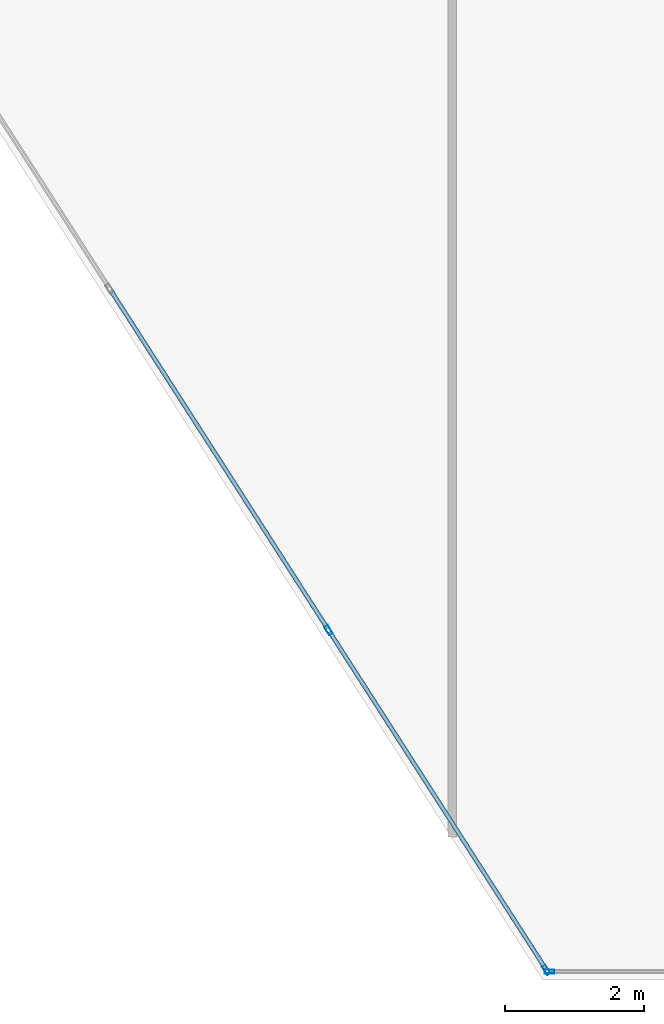
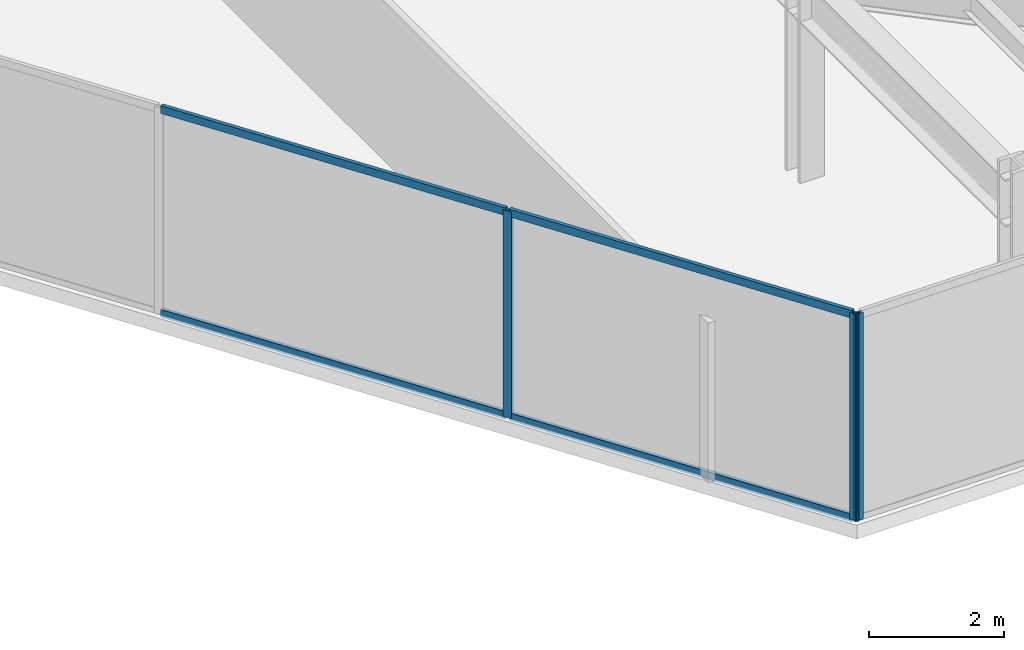
# One storey, part 15 of 26: 7 members, 2 elements without a shape of their own.
"""IFC4 building model written with IfcOpenShell, lengths in metres."""

import ifcopenshell
import ifcopenshell.guid

model = None  # the IFC model being written
_history = None  # IfcOwnerHistory: only IFC2X3 demands one
_inside = {}  # id of a spatial element -> (the spatial element, [elements in it])
_under = {}  # id of a project, library or spatial element -> (it, [spatial elements below it])
_declared = {}  # id of a project -> (the project, [libraries it declares])
_typed = {}  # id of a type object -> (the type object, [elements of that type])
_made_of = {}  # id of a material, layer set ... -> (it, [elements and type objects made of it])


def new_model(schema):
    """Start an empty IFC model of exactly this schema.

    Asked for "IFC4X3", IfcOpenShell would pick the latest addendum, in which some entities
    have other attributes; the version numbers below select the first issue.
    IFC2X3 requires an IfcOwnerHistory on every rooted entity: one is made here for all.
    """
    global model, _history
    if schema == "IFC4X3":
        model = ifcopenshell.file(schema_version=(4, 3, 0, 0))
    else:
        model = ifcopenshell.file(schema=schema)
    _inside.clear()
    _under.clear()
    _declared.clear()
    _typed.clear()
    _made_of.clear()
    _history = None
    if model.schema == "IFC2X3":
        org = make("IfcOrganization", Name="unknown")
        user = make(
            "IfcPersonAndOrganization",
            ThePerson=make("IfcPerson", FamilyName="unknown"),
            TheOrganization=org,
        )
        app = make(
            "IfcApplication",
            ApplicationDeveloper=org,
            Version="unknown",
            ApplicationFullName="unknown",
            ApplicationIdentifier="unknown",
        )
        _history = make(
            "IfcOwnerHistory",
            OwningUser=user,
            OwningApplication=app,
            ChangeAction="ADDED",
            CreationDate=0,
        )
    return model


def make(cls, **values):
    """One entity of the class cls with the attributes given. An attribute that is None is left unset."""
    return model.create_entity(
        cls, **{name: value for name, value in values.items() if value is not None}
    )


def rooted(cls, **values):
    """An entity with a GlobalId (a new one), such as an element, a storey or a relation."""
    return make(cls, GlobalId=ifcopenshell.guid.new(), OwnerHistory=_history, **values)


def si_unit(unit_type, name, prefix=None):
    """IfcSIUnit, for example si_unit("LENGTHUNIT", "METRE", prefix="MILLI")."""
    return make("IfcSIUnit", UnitType=unit_type, Prefix=prefix, Name=name)


def assignment(units):
    """IfcUnitAssignment: the units of a project."""
    return None if units is None else make("IfcUnitAssignment", Units=units)


def point(xyz):
    """IfcCartesianPoint."""
    return None if xyz is None else make("IfcCartesianPoint", Coordinates=xyz)


def direction(xyz):
    """IfcDirection."""
    return None if xyz is None else make("IfcDirection", DirectionRatios=xyz)


def frame(location, z_axis=None, x_axis=None):
    """IfcAxis2Placement3D, a coordinate frame: its origin and axes. An axis left out is left unset."""
    return make(
        "IfcAxis2Placement3D",
        Location=point(location),
        Axis=direction(z_axis),
        RefDirection=direction(x_axis),
    )


def frame_2d(location, x_axis=None):
    """IfcAxis2Placement2D, a coordinate frame in the plane: its origin and x axis."""
    return make(
        "IfcAxis2Placement2D", Location=point(location), RefDirection=direction(x_axis)
    )


def origin():
    """The frame at (0, 0, 0) with its axes left unset."""
    return frame((0.0, 0.0, 0.0))


def origin_2d():
    """The frame at (0, 0) in the plane with its x axis left unset."""
    return frame_2d((0.0, 0.0))


def place(relative_to, where):
    """IfcLocalPlacement: puts the frame where relative to a parent placement (None: the world)."""
    return make(
        "IfcLocalPlacement", PlacementRelTo=relative_to, RelativePlacement=where
    )


def context(
    kind, dimensions, precision=None, world=None, true_north=None, identifier=None
):
    """IfcGeometricRepresentationContext, for example the 3D "Model" context."""
    return make(
        "IfcGeometricRepresentationContext",
        ContextIdentifier=identifier,
        ContextType=kind,
        CoordinateSpaceDimension=dimensions,
        Precision=precision,
        WorldCoordinateSystem=world,
        TrueNorth=true_north,
    )


def subcontext(parent, identifier, kind, view, scale=None):
    """IfcGeometricRepresentationSubContext, for example "Body" below "Model"."""
    return make(
        "IfcGeometricRepresentationSubContext",
        ContextIdentifier=identifier,
        ContextType=kind,
        ParentContext=parent,
        TargetScale=scale,
        TargetView=view,
    )


def project(units=None, contexts=None):
    """IfcProject with its units and contexts."""
    return rooted(
        "IfcProject",
        Name="project",
        RepresentationContexts=contexts,
        UnitsInContext=assignment(units),
    )


def spatial(cls, under=None, at=None, **own):
    """A site, building, storey or space (cls), placed at a placement, below another one or the project."""
    s = rooted(cls, ObjectPlacement=at, **own)
    if under is not None:
        _under.setdefault(under.id(), (under, []))[1].append(s)
    return s


def profile(cls, at=None, kind="AREA", **sizes):
    """A parametric profile (cls). Its sizes go by their IFC names, for example OverallWidth=200.0."""
    return make(cls, ProfileType=kind, Position=at, **sizes)


def hollow_rectangle(**sizes):
    """IfcRectangleHollowProfileDef."""
    return profile("IfcRectangleHollowProfileDef", **sizes)


def extrude(swept, where, along, depth):
    """IfcExtrudedAreaSolid: the profile swept, set in the frame where, extruded along a direction by depth."""
    return make(
        "IfcExtrudedAreaSolid",
        SweptArea=swept,
        Position=where,
        ExtrudedDirection=direction(along),
        Depth=depth,
    )


def shape(context_of_items, identifier, shape_type, items):
    """IfcShapeRepresentation: the items that make up one representation, for example the "Body"."""
    return make(
        "IfcShapeRepresentation",
        ContextOfItems=context_of_items,
        RepresentationIdentifier=identifier,
        RepresentationType=shape_type,
        Items=items,
    )


def material(Name=None, Category=None):
    """IfcMaterial."""
    return make("IfcMaterial", Name=Name, Category=Category)


def layer(
    of_material, thickness, ventilated=None, Name=None, Category=None, Priority=None
):
    """IfcMaterialLayer: one layer of a wall or slab, of a material (None: an air gap)."""
    return make(
        "IfcMaterialLayer",
        Material=of_material,
        LayerThickness=thickness,
        IsVentilated=ventilated,
        Name=Name,
        Category=Category,
        Priority=Priority,
    )


def layer_set(layers, Name=None):
    """IfcMaterialLayerSet."""
    return make("IfcMaterialLayerSet", MaterialLayers=layers, LayerSetName=Name)


def material_profile(
    of_material, cross_section, Name=None, Category=None, Priority=None
):
    """IfcMaterialProfile: a cross section and its material."""
    return make(
        "IfcMaterialProfile",
        Name=Name,
        Material=of_material,
        Profile=cross_section,
        Priority=Priority,
        Category=Category,
    )


def profile_set(profiles, Name=None, composite=None):
    """IfcMaterialProfileSet."""
    return make(
        "IfcMaterialProfileSet",
        Name=Name,
        MaterialProfiles=profiles,
        CompositeProfile=composite,
    )


def made_of(thing, what):
    """Note that an element or type object is made of a material, layer set ...; save() writes the relation."""
    if what is not None:
        _made_of.setdefault(what.id(), (what, []))[1].append(thing)
    return thing


def type_object(cls, material=None, **own):
    """A type object (cls), such as IfcWallType, which elements share."""
    return made_of(rooted(cls, **own), material)


def element(
    cls,
    number,
    at=None,
    inside=None,
    cuts=None,
    type_object=None,
    material=None,
    context=None,
    identifier="Body",
    shape_type=None,
    held_by="IfcProductDefinitionShape",
    body=None,
    shapes=None,
    **own,
):
    """One element of the class cls, such as IfcWall. Its Tag is "e" and its number.

    at: its placement. inside: the storey or other place that contains it. cuts: it is an
    opening in that element (IfcRelVoidsElement). A single representation is given by context,
    identifier, shape_type and body (its items); several are given by shapes. held_by: the class
    of the entity that holds the representations. save() writes the other relations.
    """
    e = rooted(cls, Tag="e%d" % number, ObjectPlacement=at, **own)
    if body is not None:
        shapes = [shape(context, identifier, shape_type, body)]
    if shapes is not None:
        e.Representation = make(held_by, Representations=shapes)
    if inside is not None:
        _inside.setdefault(inside.id(), (inside, []))[1].append(e)
    if cuts is not None:
        rooted(
            "IfcRelVoidsElement", RelatingBuildingElement=cuts, RelatedOpeningElement=e
        )
    if type_object is not None:
        _typed.setdefault(type_object.id(), (type_object, []))[1].append(e)
    return made_of(e, material)


def aggregate(whole, parts):
    """IfcRelAggregates: a whole, such as a stair, and the parts it consists of."""
    return rooted("IfcRelAggregates", RelatingObject=whole, RelatedObjects=parts)


def save(model, path):
    """Write the relations noted so far, then the file.

    IfcRelAggregates (storeys below a building ...), IfcRelContainedInSpatialStructure (elements
    in a storey), IfcRelDefinesByType, IfcRelAssociatesMaterial and IfcRelDeclares: one each for
    every whole, place, type object, material and project.
    """
    for whole, parts in _under.values():
        aggregate(whole, parts)
    for where, things in _inside.values():
        rooted(
            "IfcRelContainedInSpatialStructure",
            RelatedElements=things,
            RelatingStructure=where,
        )
    for kind, things in _typed.values():
        rooted("IfcRelDefinesByType", RelatedObjects=things, RelatingType=kind)
    for what, things in _made_of.values():
        rooted("IfcRelAssociatesMaterial", RelatedObjects=things, RelatingMaterial=what)
    for by, libraries in _declared.values():
        rooted("IfcRelDeclares", RelatingContext=by, RelatedDefinitions=libraries)
    model.write(path)


model = new_model("IFC4")

# Units and contexts
model_context = context("Model", 3, precision=1e-05, world=origin(), true_north=direction((0.0, 1.0)))
body_context = subcontext(model_context, "Body", "Model", "MODEL_VIEW")
ifc_project = project(units=[si_unit("LENGTHUNIT", "METRE"), si_unit("AREAUNIT", "SQUARE_METRE"), si_unit("VOLUMEUNIT", "CUBIC_METRE"), si_unit("PLANEANGLEUNIT", "RADIAN"), si_unit("MASSUNIT", "GRAM", prefix="KILO")], contexts=[model_context])

# Site, building, storey
site_placement = place(None, origin())
site = spatial("IfcSite", under=ifc_project, at=site_placement, CompositionType="ELEMENT")
building_placement = place(site_placement, origin())
building = spatial("IfcBuilding", under=site, at=building_placement, Name="Kravanh Interchange Tower", CompositionType="ELEMENT")
storey_placement = place(building_placement, frame((0.0, 0.0, 148.0)))
storey = spatial("IfcBuildingStorey", under=building, at=storey_placement, Name="L35", CompositionType="ELEMENT", Elevation=148.0)

# Curtain wall, member
ifc_material_1 = material(Name="Anodised Bronze Aluminium", Category="aluminium")
ifc_layer = layer(ifc_material_1, 0.179931640625)
ifc_layer_set = layer_set([ifc_layer], Name="Unitised Curtain Wall System CW-Z2 Mid Office")
curtain_wall_type = type_object("IfcCurtainWallType", Name="Unitised Curtain Wall System CW-Z2 Mid Office", PredefinedType="NOTDEFINED", material=ifc_layer_set)
curtain_wall_1_placement = place(storey_placement, origin())
curtain_wall_1 = element("IfcCurtainWall", 1, at=curtain_wall_1_placement, inside=storey, type_object=curtain_wall_type, Name="L35 Unitised Curtain Wall CW-L35-03", PredefinedType="NOTDEFINED")
ifc_material_2 = material(Name="Anodised Bronze Aluminium", Category="aluminium")
ifc_material_profile_1 = material_profile(ifc_material_2, hollow_rectangle(XDim=0.06005859375, YDim=0.139892578125, WallThickness=0.00390625, at=origin_2d()), Name="ALU60X140X4")
ifc_profile_set_1 = profile_set([ifc_material_profile_1], Name="Anodised Bronze Aluminium")
member_type_1 = type_object("IfcMemberType", Name="Curtain Wall Mullion ALU60X140X4 Bronze", PredefinedType="MULLION", material=ifc_profile_set_1)
member_1_placement = place(storey_placement, frame((52.195556640625, 6.320068359375, 0.0), z_axis=(0.0, 0.0, 1.0), x_axis=(0.0, -1.0, 0.0)))
member_1 = element("IfcMember", 2, at=member_1_placement, type_object=member_type_1, Name="CW-Z2 mullion 3", PredefinedType="MULLION", context=body_context, shape_type="SweptSolid", body=[
    extrude(hollow_rectangle(XDim=0.06005859375, YDim=0.139892578125, WallThickness=0.00390625, at=origin_2d()), origin(), (0.0, 0.0, 1.0), 3.75),
])
aggregate(curtain_wall_1, [member_1])

# Curtain wall, members
curtain_wall_2_placement = place(storey_placement, origin())
curtain_wall_2 = element("IfcCurtainWall", 3, at=curtain_wall_2_placement, inside=storey, type_object=curtain_wall_type, Name="L35 Unitised Curtain Wall CW-L35-04", PredefinedType="NOTDEFINED")
member_2_placement = place(storey_placement, frame((52.1494140625, 6.34521484375, 0.0), z_axis=(0.0, 0.0, 1.0), x_axis=(-0.841879939476, -0.539664865919, 0.0)))
member_2 = element("IfcMember", 4, at=member_2_placement, type_object=member_type_1, Name="CW-Z2 mullion 1", PredefinedType="MULLION", context=body_context, shape_type="SweptSolid", body=[
    extrude(hollow_rectangle(XDim=0.06005859375, YDim=0.139892578125, WallThickness=0.00390625, at=origin_2d()), origin(), (0.0, 0.0, 1.0), 3.75),
])
member_3_placement = place(storey_placement, frame((49.024169921875, 11.220703125, 0.0), z_axis=(0.0, 0.0, 1.0), x_axis=(-0.841879939476, -0.539664865919, 0.0)))
member_3 = element("IfcMember", 5, at=member_3_placement, type_object=member_type_1, Name="CW-Z2 mullion 2", PredefinedType="MULLION", context=body_context, shape_type="SweptSolid", body=[
    extrude(hollow_rectangle(XDim=0.06005859375, YDim=0.139892578125, WallThickness=0.00390625, at=origin_2d()), origin(), (0.0, 0.0, 1.0), 3.75),
])
ifc_material_3 = material(Name="Anodised Bronze Aluminium", Category="aluminium")
ifc_material_profile_2 = material_profile(ifc_material_3, hollow_rectangle(XDim=0.06005859375, YDim=0.139892578125, WallThickness=0.00390625, at=origin_2d()), Name="ALU60X140X4")
ifc_profile_set_2 = profile_set([ifc_material_profile_2], Name="Anodised Bronze Aluminium")
member_type_2 = type_object("IfcMemberType", Name="Curtain Wall Transom ALU60X140X4 Bronze", PredefinedType="USERDEFINED", material=ifc_profile_set_2)
member_4_placement = place(storey_placement, frame((52.13330078125, 6.37060546875, 0.030029296875), z_axis=(-0.539697855812, 0.841858791266, 0.0), x_axis=(-0.841858791266, -0.539697855812, 0.0)))
member_4 = element("IfcMember", 6, at=member_4_placement, type_object=member_type_2, Name="CW-Z2 transom 1.1", ObjectType="TRANSOM", PredefinedType="USERDEFINED", context=body_context, shape_type="SweptSolid", body=[
    extrude(hollow_rectangle(XDim=0.06005859375, YDim=0.139892578125, WallThickness=0.00390625, at=origin_2d()), origin(), (0.0, 0.0, 1.0), 5.73095703125),
])
member_5_placement = place(storey_placement, frame((52.13330078125, 6.37060546875, 3.719970703125), z_axis=(-0.539697855812, 0.841858791266, 0.0), x_axis=(-0.841858791266, -0.539697855812, 0.0)))
member_5 = element("IfcMember", 7, at=member_5_placement, type_object=member_type_2, Name="CW-Z2 transom 1.2", ObjectType="TRANSOM", PredefinedType="USERDEFINED", context=body_context, shape_type="SweptSolid", body=[
    extrude(hollow_rectangle(XDim=0.06005859375, YDim=0.139892578125, WallThickness=0.00390625, at=origin_2d()), origin(), (0.0, 0.0, 1.0), 5.73095703125),
])
member_6_placement = place(storey_placement, frame((49.008056640625, 11.245849609375, 0.030029296875), z_axis=(-0.539677666788, 0.84187173368, 0.0), x_axis=(-0.84187173368, -0.539677666788, 0.0)))
member_6 = element("IfcMember", 8, at=member_6_placement, type_object=member_type_2, Name="CW-Z2 transom 2.1", ObjectType="TRANSOM", PredefinedType="USERDEFINED", context=body_context, shape_type="SweptSolid", body=[
    extrude(hollow_rectangle(XDim=0.06005859375, YDim=0.139892578125, WallThickness=0.00390625, at=origin_2d()), origin(), (0.0, 0.0, 1.0), 5.760986328125),
])
member_7_placement = place(storey_placement, frame((49.008056640625, 11.245849609375, 3.719970703125), z_axis=(-0.539677666788, 0.84187173368, 0.0), x_axis=(-0.84187173368, -0.539677666788, 0.0)))
member_7 = element("IfcMember", 9, at=member_7_placement, type_object=member_type_2, Name="CW-Z2 transom 2.2", ObjectType="TRANSOM", PredefinedType="USERDEFINED", context=body_context, shape_type="SweptSolid", body=[
    extrude(hollow_rectangle(XDim=0.06005859375, YDim=0.139892578125, WallThickness=0.00390625, at=origin_2d()), origin(), (0.0, 0.0, 1.0), 5.760986328125),
])
aggregate(curtain_wall_2, [member_2, member_3, member_4, member_5, member_6, member_7])

save(model, "model.ifc")
